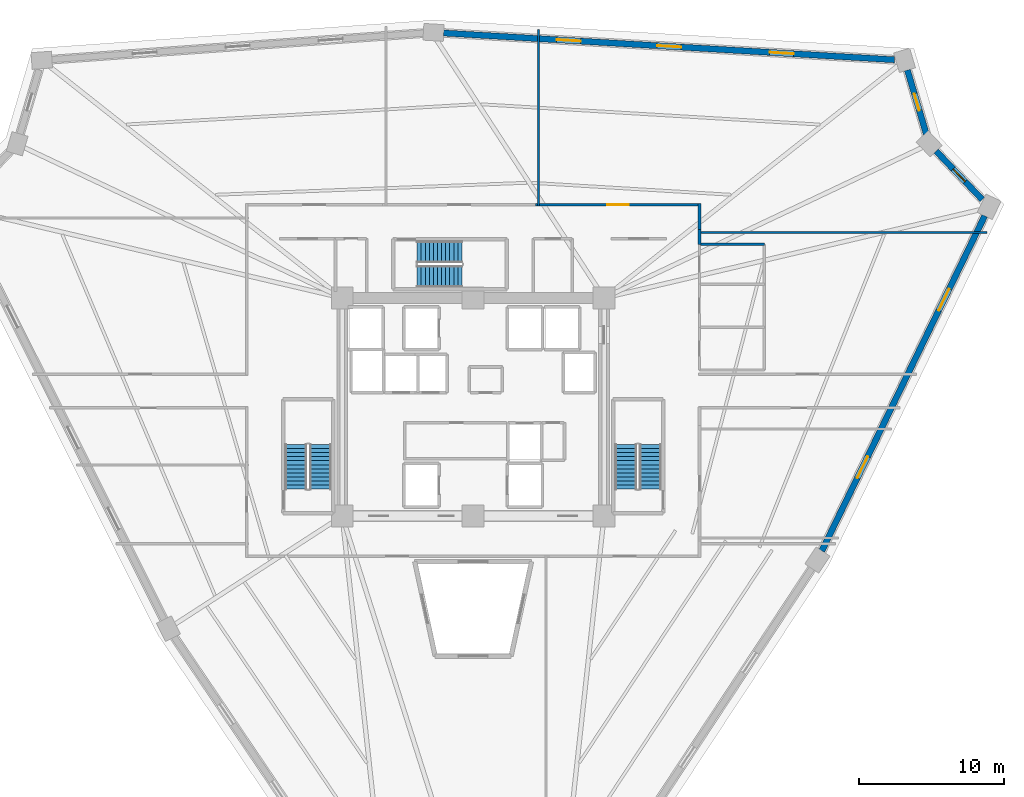
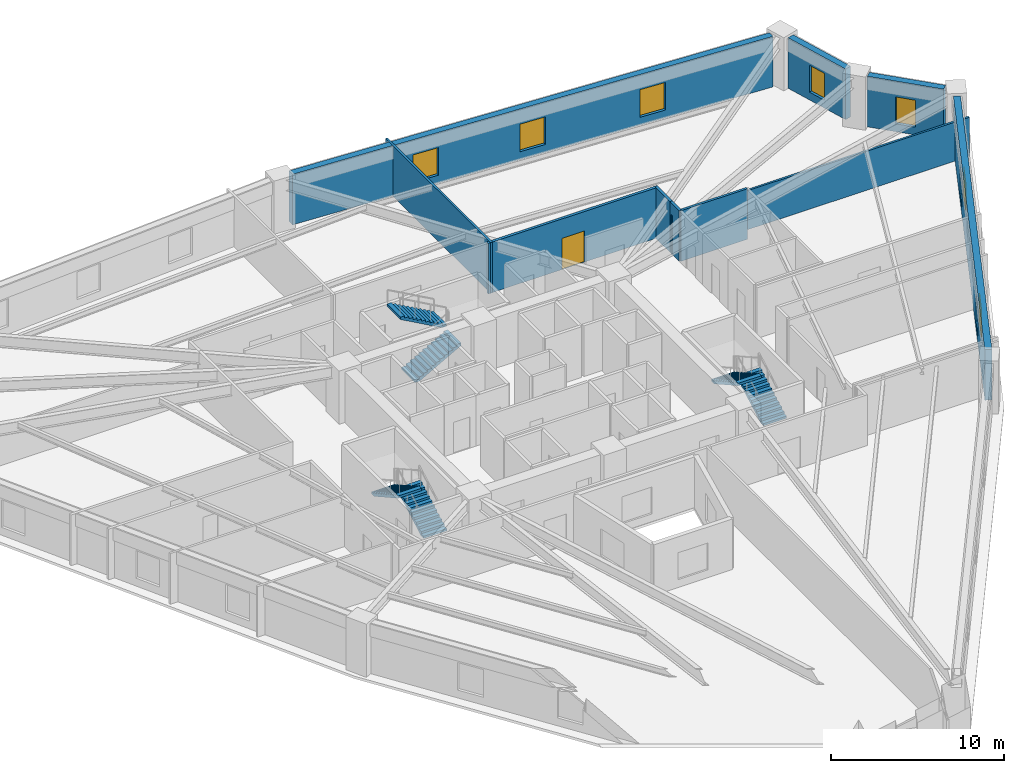
# One storey, part 7 of 8: 10 walls, 7 windows, 6 stair flights, 1 door, 8 openings, 3 elements without a shape of their own.
"""IFC4 building model written with IfcOpenShell, lengths in metres."""

from ifc_helpers import new_model, si_unit, direction, frame, frame_2d, origin, place, context, subcontext, project, spatial, polyline, rectangle, outline, extrude, source, transform, mapped, material, layer, layer_set, type_object, element, fill, aggregate, save


model = new_model("IFC4")

# Units and contexts
model_context = context("Model", 3, precision=1e-05, world=origin(), true_north=direction((0.0, 1.0)))
body_context = subcontext(model_context, "Body", "Model", "MODEL_VIEW")
ifc_project = project(units=[si_unit("LENGTHUNIT", "METRE"), si_unit("AREAUNIT", "SQUARE_METRE"), si_unit("VOLUMEUNIT", "CUBIC_METRE"), si_unit("PLANEANGLEUNIT", "RADIAN"), si_unit("MASSUNIT", "GRAM", prefix="KILO")], contexts=[model_context])

# Site, building, storey
site_placement = place(None, origin())
site = spatial("IfcSite", under=ifc_project, at=site_placement, CompositionType="ELEMENT")
building_placement = place(site_placement, origin())
building = spatial("IfcBuilding", under=site, at=building_placement, Name="Liaohun Quay Tower", CompositionType="ELEMENT")
storey_placement = place(building_placement, frame((0.0, 0.0, 151.5)))
storey = spatial("IfcBuildingStorey", under=building, at=storey_placement, Name="L39", CompositionType="ELEMENT", Elevation=151.5)

# Wall, openings, windows
ifc_material_1 = material(Name="Precast concrete C50 insulated sandwich", Category="concrete")
ifc_layer_1 = layer(ifc_material_1, 0.419921875, Name="Precast concrete C50 insulated sandwich", Category="concrete")
ifc_layer_set_1 = layer_set([ifc_layer_1], Name="Precast concrete C50 insulated sandwich")
wall_type_1 = type_object("IfcWallType", Name="WAL-EXT-Z12", PredefinedType="SOLIDWALL", material=ifc_layer_set_1)
wall_1_placement = place(storey_placement, frame((83.968017578125, 44.10205078125, 0.0), z_axis=(0.0, 0.0, 1.0), x_axis=(0.437237241279, 0.899346204105, 0.0)))
wall_1 = element("IfcWall", 1, at=wall_1_placement, inside=storey, type_object=wall_type_1, Name="L39 Brutalist Precast Pier Wall 03", PredefinedType="SOLIDWALL", context=body_context, shape_type="SweptSolid", body=[
    extrude(rectangle(XDim=25.61962890625, YDim=0.419921875, at=frame_2d((12.809814453125, 0.0))), origin(), (0.0, 0.0, 1.0), 3.570068359375),
])
shared_shape_1 = source(origin(), body_context, "Body", "SweptSolid", [
    extrude(rectangle(XDim=1.64990234375, YDim=1.949951171875, at=frame_2d((0.824951171875, 0.97509765625))), frame((0.0, 0.219970703125, 0.0), z_axis=(0.0, -1.0, 0.0), x_axis=(1.0, 0.0, 0.0)), (0.0, 0.0, 1.0), 0.43994140625),
])
opening_1_placement = place(wall_1_placement, frame((5.580078125, 0.0, 0.550048828125)))
opening_1 = element("IfcOpeningElement", 2, at=opening_1_placement, cuts=wall_1, Name="Opening W02", PredefinedType="OPENING", context=body_context, shape_type="MappedRepresentation", body=[
    mapped(shared_shape_1, transform((0.0, 0.0, 0.0), x_axis=(1.0, 0.0, 0.0), y_axis=(0.0, 1.0, 0.0), z_axis=(0.0, 0.0, 1.0), scale=1.0)),
])
opening_2_placement = place(wall_1_placement, frame((18.389892578125, 0.0, 0.550048828125)))
opening_2 = element("IfcOpeningElement", 3, at=opening_2_placement, cuts=wall_1, Name="Opening W02", PredefinedType="OPENING", context=body_context, shape_type="MappedRepresentation", body=[
    mapped(shared_shape_1, transform((0.0, 0.0, 0.0), x_axis=(1.0, 0.0, 0.0), y_axis=(0.0, 1.0, 0.0), z_axis=(0.0, 0.0, 1.0), scale=1.0)),
])
ifc_material_2 = material(Name="Triple Low-E argon glazing in thermally broken aluminium", Category="aluminium")
window_type_1 = type_object("IfcWindowType", Name="WIN-PUN-Z2", PartitioningType="DOUBLE_PANEL_VERTICAL", PredefinedType="WINDOW", material=ifc_material_2)
shared_shape_2 = source(origin(), body_context, "Body", "SweptSolid", [
    extrude(rectangle(XDim=1.64990234375, YDim=1.949951171875, at=frame_2d((0.824951171875, 0.97509765625))), frame((0.0, 0.030029296875, 0.0), z_axis=(0.0, -1.0, 0.0), x_axis=(1.0, 0.0, 0.0)), (0.0, 0.0, 1.0), 0.06005859375),
])
window_1_placement = place(opening_1_placement, origin())
window_1 = element("IfcWindow", 4, at=window_1_placement, inside=storey, type_object=window_type_1, Name="L39 Recessed Cold-Climate Punched Window 03-1", OverallHeight=1.949951171875, OverallWidth=1.64990234375, PartitioningType="DOUBLE_PANEL_VERTICAL", PredefinedType="WINDOW", context=body_context, shape_type="MappedRepresentation", body=[
    mapped(shared_shape_2, transform((0.0, 0.0, 0.0), x_axis=(1.0, 0.0, 0.0), y_axis=(0.0, 1.0, 0.0), z_axis=(0.0, 0.0, 1.0), scale=1.0)),
])
fill(opening_1, window_1)
window_2_placement = place(opening_2_placement, origin())
window_2 = element("IfcWindow", 5, at=window_2_placement, inside=storey, type_object=window_type_1, Name="L39 Recessed Cold-Climate Punched Window 03-3", OverallHeight=1.949951171875, OverallWidth=1.64990234375, PartitioningType="DOUBLE_PANEL_VERTICAL", PredefinedType="WINDOW", context=body_context, shape_type="MappedRepresentation", body=[
    mapped(shared_shape_2, transform((0.0, 0.0, 0.0), x_axis=(1.0, 0.0, 0.0), y_axis=(0.0, 1.0, 0.0), z_axis=(0.0, 0.0, 1.0), scale=1.0)),
])
fill(opening_2, window_2)

# Wall, opening, window
wall_2_placement = place(storey_placement, frame((94.99609375, 68.263916015625, 0.0), z_axis=(0.0, 0.0, 1.0), x_axis=(-0.689168939428, 0.724600698956, 0.0)))
wall_2 = element("IfcWall", 6, at=wall_2_placement, inside=storey, type_object=wall_type_1, Name="L39 Brutalist Precast Pier Wall 04", PredefinedType="SOLIDWALL", context=body_context, shape_type="SweptSolid", body=[
    extrude(rectangle(XDim=4.602783203125, YDim=0.419921875, at=frame_2d((2.30126953125, 0.0))), origin(), (0.0, 0.0, 1.0), 3.570068359375),
])
shared_shape_3 = source(origin(), body_context, "Body", "SweptSolid", [
    extrude(rectangle(XDim=1.199951171875, YDim=1.89990234375, at=frame_2d((0.60009765625, 0.949951171875))), frame((0.0, 0.219970703125, 0.0), z_axis=(0.0, -1.0, 0.0), x_axis=(1.0, 0.0, 0.0)), (0.0, 0.0, 1.0), 0.43994140625),
])
opening_3_placement = place(wall_2_placement, frame((1.700927734375, 0.0, 0.550048828125)))
opening_3 = element("IfcOpeningElement", 7, at=opening_3_placement, cuts=wall_2, Name="Opening W05", PredefinedType="OPENING", context=body_context, shape_type="MappedRepresentation", body=[
    mapped(shared_shape_3, transform((0.0, 0.0, 0.0), x_axis=(1.0, 0.0, 0.0), y_axis=(0.0, 1.0, 0.0), z_axis=(0.0, 0.0, 1.0), scale=1.0)),
])
ifc_material_3 = material(Name="Triple Low-E corner notch glazing", Category="glass")
window_type_2 = type_object("IfcWindowType", Name="WIN-NOTCH", PartitioningType="SINGLE_PANEL", PredefinedType="WINDOW", material=ifc_material_3)
shared_shape_4 = source(origin(), body_context, "Body", "SweptSolid", [
    extrude(rectangle(XDim=1.199951171875, YDim=1.89990234375, at=frame_2d((0.60009765625, 0.949951171875))), frame((0.0, 0.030029296875, 0.0), z_axis=(0.0, -1.0, 0.0), x_axis=(1.0, 0.0, 0.0)), (0.0, 0.0, 1.0), 0.06005859375),
])
window_3_placement = place(opening_3_placement, origin())
window_3 = element("IfcWindow", 8, at=window_3_placement, inside=storey, type_object=window_type_2, Name="L39 Corner Notch Window W05-04", OverallHeight=1.89990234375, OverallWidth=1.199951171875, PartitioningType="SINGLE_PANEL", PredefinedType="WINDOW", context=body_context, shape_type="MappedRepresentation", body=[
    mapped(shared_shape_4, transform((0.0, 0.0, 0.0), x_axis=(1.0, 0.0, 0.0), y_axis=(0.0, 1.0, 0.0), z_axis=(0.0, 0.0, 1.0), scale=1.0)),
])
fill(opening_3, window_3)

wall_3_placement = place(storey_placement, frame((91.153076171875, 72.760986328125, 0.0), z_axis=(0.0, 0.0, 1.0), x_axis=(-0.2829429476, 0.959136741244, 0.0)))
wall_3 = element("IfcWall", 9, at=wall_3_placement, inside=storey, type_object=wall_type_1, Name="L39 Brutalist Precast Pier Wall 05", PredefinedType="SOLIDWALL", context=body_context, shape_type="SweptSolid", body=[
    extrude(rectangle(XDim=4.5947265625, YDim=0.419921875, at=frame_2d((2.29736328125, 0.0))), origin(), (0.0, 0.0, 1.0), 3.570068359375),
])
opening_4_placement = place(wall_3_placement, frame((1.697021484375, 0.0, 0.550048828125)))
opening_4 = element("IfcOpeningElement", 10, at=opening_4_placement, cuts=wall_3, Name="Opening W05", PredefinedType="OPENING", context=body_context, shape_type="MappedRepresentation", body=[
    mapped(shared_shape_3, transform((0.0, 0.0, 0.0), x_axis=(1.0, 0.0, 0.0), y_axis=(0.0, 1.0, 0.0), z_axis=(0.0, 0.0, 1.0), scale=1.0)),
])
window_4_placement = place(opening_4_placement, origin())
window_4 = element("IfcWindow", 11, at=window_4_placement, inside=storey, type_object=window_type_2, Name="L39 Corner Notch Window W05-05", OverallHeight=1.89990234375, OverallWidth=1.199951171875, PartitioningType="SINGLE_PANEL", PredefinedType="WINDOW", context=body_context, shape_type="MappedRepresentation", body=[
    mapped(shared_shape_4, transform((0.0, 0.0, 0.0), x_axis=(1.0, 0.0, 0.0), y_axis=(0.0, 1.0, 0.0), z_axis=(0.0, 0.0, 1.0), scale=1.0)),
])
fill(opening_4, window_4)

# Wall, openings, windows
wall_4_placement = place(storey_placement, frame((88.968994140625, 77.87109375, 0.0), z_axis=(0.0, 0.0, 1.0), x_axis=(-0.998239939478, 0.059304495869, 0.0)))
wall_4 = element("IfcWall", 12, at=wall_4_placement, inside=storey, type_object=wall_type_1, Name="L39 Brutalist Precast Pier Wall 06", PredefinedType="SOLIDWALL", context=body_context, shape_type="SweptSolid", body=[
    extrude(rectangle(XDim=31.056640625, YDim=0.419921875, at=frame_2d((15.5283203125, 0.0))), origin(), (0.0, 0.0, 1.0), 3.570068359375),
])
opening_5_placement = place(wall_4_placement, frame((6.93896484375, 0.0, 0.550048828125)))
opening_5 = element("IfcOpeningElement", 13, at=opening_5_placement, cuts=wall_4, Name="Opening W02", PredefinedType="OPENING", context=body_context, shape_type="MappedRepresentation", body=[
    mapped(shared_shape_1, transform((0.0, 0.0, 0.0), x_axis=(1.0, 0.0, 0.0), y_axis=(0.0, 1.0, 0.0), z_axis=(0.0, 0.0, 1.0), scale=1.0)),
])
opening_6_placement = place(wall_4_placement, frame((14.702880859375, 0.0, 0.550048828125)))
opening_6 = element("IfcOpeningElement", 14, at=opening_6_placement, cuts=wall_4, Name="Opening W02", PredefinedType="OPENING", context=body_context, shape_type="MappedRepresentation", body=[
    mapped(shared_shape_1, transform((0.0, 0.0, 0.0), x_axis=(1.0, 0.0, 0.0), y_axis=(0.0, 1.0, 0.0), z_axis=(0.0, 0.0, 1.0), scale=1.0)),
])
opening_7_placement = place(wall_4_placement, frame((21.617919921875, 0.0, 0.550048828125)))
opening_7 = element("IfcOpeningElement", 15, at=opening_7_placement, cuts=wall_4, Name="Opening W02", PredefinedType="OPENING", context=body_context, shape_type="MappedRepresentation", body=[
    mapped(shared_shape_1, transform((0.0, 0.0, 0.0), x_axis=(1.0, 0.0, 0.0), y_axis=(0.0, 1.0, 0.0), z_axis=(0.0, 0.0, 1.0), scale=1.0)),
])
window_5_placement = place(opening_5_placement, origin())
window_5 = element("IfcWindow", 16, at=window_5_placement, inside=storey, type_object=window_type_1, Name="L39 Recessed Cold-Climate Punched Window 06-1", OverallHeight=1.949951171875, OverallWidth=1.64990234375, PartitioningType="DOUBLE_PANEL_VERTICAL", PredefinedType="WINDOW", context=body_context, shape_type="MappedRepresentation", body=[
    mapped(shared_shape_2, transform((0.0, 0.0, 0.0), x_axis=(1.0, 0.0, 0.0), y_axis=(0.0, 1.0, 0.0), z_axis=(0.0, 0.0, 1.0), scale=1.0)),
])
fill(opening_5, window_5)
window_6_placement = place(opening_6_placement, origin())
window_6 = element("IfcWindow", 17, at=window_6_placement, inside=storey, type_object=window_type_1, Name="L39 Recessed Cold-Climate Punched Window 06-2", OverallHeight=1.949951171875, OverallWidth=1.64990234375, PartitioningType="DOUBLE_PANEL_VERTICAL", PredefinedType="WINDOW", context=body_context, shape_type="MappedRepresentation", body=[
    mapped(shared_shape_2, transform((0.0, 0.0, 0.0), x_axis=(1.0, 0.0, 0.0), y_axis=(0.0, 1.0, 0.0), z_axis=(0.0, 0.0, 1.0), scale=1.0)),
])
fill(opening_6, window_6)
window_7_placement = place(opening_7_placement, origin())
window_7 = element("IfcWindow", 18, at=window_7_placement, inside=storey, type_object=window_type_1, Name="L39 Recessed Cold-Climate Punched Window 06-3", OverallHeight=1.949951171875, OverallWidth=1.64990234375, PartitioningType="DOUBLE_PANEL_VERTICAL", PredefinedType="WINDOW", context=body_context, shape_type="MappedRepresentation", body=[
    mapped(shared_shape_2, transform((0.0, 0.0, 0.0), x_axis=(1.0, 0.0, 0.0), y_axis=(0.0, 1.0, 0.0), z_axis=(0.0, 0.0, 1.0), scale=1.0)),
])
fill(opening_7, window_7)

# Wall, opening, door
ifc_material_4 = material(Name="Autoclaved aerated concrete blockwork", Category="masonry")
ifc_layer_2 = layer(ifc_material_4, 0.179931640625, Name="Autoclaved aerated concrete blockwork", Category="masonry")
ifc_layer_set_2 = layer_set([ifc_layer_2], Name="Autoclaved aerated concrete blockwork")
wall_type_2 = type_object("IfcWallType", Name="WAL-PRT-COR", PredefinedType="PARTITIONING", material=ifc_layer_set_2)
wall_5_placement = place(storey_placement, frame((64.284912109375, 67.909912109375, 0.0), z_axis=(0.0, 0.0, 1.0), x_axis=(1.0, 0.0, 0.0)))
wall_5 = element("IfcWall", 19, at=wall_5_placement, inside=storey, type_object=wall_type_2, Name="L39 Interior Partition Wall 012", PredefinedType="PARTITIONING", context=body_context, shape_type="SweptSolid", body=[
    extrude(rectangle(XDim=11.344970703125, YDim=0.179931640625, at=frame_2d((5.67236328125, 0.0))), origin(), (0.0, 0.0, 1.0), 3.570068359375),
])
shared_shape_5 = source(origin(), body_context, "Body", "SweptSolid", [
    extrude(rectangle(XDim=1.5, YDim=2.199951171875, at=frame_2d((0.75, 1.10009765625))), frame((0.0, 0.099853515625, 0.0), z_axis=(0.0, -1.0, 0.0), x_axis=(1.0, 0.0, 0.0)), (0.0, 0.0, 1.0), 0.199951171875),
])
opening_8_placement = place(wall_5_placement, frame((4.922119140625, 0.0, 0.0)))
opening_8 = element("IfcOpeningElement", 20, at=opening_8_placement, cuts=wall_5, Name="Opening OD2", PredefinedType="OPENING", context=body_context, shape_type="MappedRepresentation", body=[
    mapped(shared_shape_5, transform((0.0, 0.0, 0.0), x_axis=(1.0, 0.0, 0.0), y_axis=(0.0, 1.0, 0.0), z_axis=(0.0, 0.0, 1.0), scale=1.0)),
])
ifc_material_5 = material(Name="Acoustic oak veneer double door")
door_type = type_object("IfcDoorType", Name="DOR-OFF-1500", OperationType="DOUBLE_DOOR_SINGLE_SWING", PredefinedType="DOOR", material=ifc_material_5)
shared_shape_6 = source(origin(), body_context, "Body", "SweptSolid", [
    extrude(rectangle(XDim=1.5, YDim=2.199951171875, at=frame_2d((0.75, 1.10009765625))), frame((0.0, 0.02490234375, 0.0), z_axis=(0.0, -1.0, 0.0), x_axis=(1.0, 0.0, 0.0)), (0.0, 0.0, 1.0), 0.050048828125),
])
door_placement = place(opening_8_placement, origin())
door = element("IfcDoor", 21, at=door_placement, inside=storey, type_object=door_type, Name="L39 Occupational Wellness Clinic 02 Door", OperationType="DOUBLE_DOOR_SINGLE_SWING", OverallHeight=2.199951171875, OverallWidth=1.5, PredefinedType="DOOR", context=body_context, shape_type="MappedRepresentation", body=[
    mapped(shared_shape_6, transform((0.0, 0.0, 0.0), x_axis=(1.0, 0.0, 0.0), y_axis=(0.0, 1.0, 0.0), z_axis=(0.0, 0.0, 1.0), scale=1.0)),
])
fill(opening_8, door)

# Walls
wall_6_placement = place(storey_placement, frame((75.56005859375, 66.215087890625, 0.0), z_axis=(0.0, 0.0, 1.0), x_axis=(0.0, -1.0, 0.0)))
element("IfcWall", 22, at=wall_6_placement, inside=storey, type_object=wall_type_2, Name="L39 Interior Partition Wall 036", PredefinedType="PARTITIONING", context=body_context, shape_type="SweptSolid", body=[
    extrude(rectangle(XDim=1.03515625, YDim=0.179931640625, at=frame_2d((0.517578125, 0.0))), origin(), (0.0, 0.0, 1.0), 3.570068359375),
])
wall_7_placement = place(storey_placement, frame((75.56005859375, 67.97998046875, 0.0), z_axis=(0.0, 0.0, 1.0), x_axis=(0.0, -1.0, 0.0)))
element("IfcWall", 23, at=wall_7_placement, inside=storey, type_object=wall_type_2, Name="L39 Interior Partition Wall 037", PredefinedType="PARTITIONING", context=body_context, shape_type="SweptSolid", body=[
    extrude(rectangle(XDim=1.764892578125, YDim=0.179931640625, at=frame_2d((0.88232421875, 0.0))), origin(), (0.0, 0.0, 1.0), 3.570068359375),
])
ifc_material_6 = material(Name="Gypsum board on twin steel studs", Category="steel")
ifc_layer_3 = layer(ifc_material_6, 0.139892578125, Name="Gypsum board on twin steel studs", Category="steel")
ifc_layer_set_3 = layer_set([ifc_layer_3], Name="Gypsum board on twin steel studs")
wall_type_3 = type_object("IfcWallType", Name="WAL-PRT-OFF", PredefinedType="PARTITIONING", material=ifc_layer_set_3)
wall_8_placement = place(storey_placement, frame((75.4599609375, 66.0, 0.0), z_axis=(0.0, 0.0, 1.0), x_axis=(1.0, 0.0, 0.0)))
element("IfcWall", 24, at=wall_8_placement, inside=storey, type_object=wall_type_3, Name="L39 Interior Partition Wall 050", PredefinedType="PARTITIONING", context=body_context, shape_type="SweptSolid", body=[
    extrude(rectangle(XDim=19.85400390625, YDim=0.139892578125, at=frame_2d((9.927001953125, 0.0))), origin(), (0.0, 0.0, 1.0), 2.7548828125),
])
wall_9_placement = place(storey_placement, frame((64.5, 67.81005859375, 0.0), z_axis=(0.0, 0.0, 1.0), x_axis=(0.0, 1.0, 0.0)))
element("IfcWall", 25, at=wall_9_placement, inside=storey, type_object=wall_type_3, Name="L39 Interior Partition Wall 052", PredefinedType="PARTITIONING", context=body_context, shape_type="SweptSolid", body=[
    extrude(rectangle(XDim=12.14599609375, YDim=0.139892578125, at=frame_2d((6.072998046875, 0.0))), origin(), (0.0, 0.0, 1.0), 3.570068359375),
])
ifc_material_7 = material(Name="Moisture-resistant masonry blockwork", Category="masonry")
ifc_layer_4 = layer(ifc_material_7, 0.159912109375, Name="Moisture-resistant masonry blockwork", Category="masonry")
ifc_layer_set_4 = layer_set([ifc_layer_4], Name="Moisture-resistant masonry blockwork")
wall_type_4 = type_object("IfcWallType", Name="WAL-PRT-WET", PredefinedType="PARTITIONING", material=ifc_layer_set_4)
wall_10_placement = place(storey_placement, frame((75.56005859375, 65.179931640625, 0.0), z_axis=(0.0, 0.0, 1.0), x_axis=(1.0, 0.0, 0.0)))
element("IfcWall", 26, at=wall_10_placement, inside=storey, type_object=wall_type_4, Name="L39 Interior Partition Wall 031", PredefinedType="PARTITIONING", context=body_context, shape_type="SweptSolid", body=[
    extrude(rectangle(XDim=4.4599609375, YDim=0.159912109375, at=frame_2d((2.22998046875, 0.0))), origin(), (0.0, 0.0, 1.0), 3.570068359375),
])

# Stair, stair flights
ifc_material_8 = material(Name="Concrete C45", Category="concrete")
stair_type = type_object("IfcStairType", Name="STR-CORE-OFF", PredefinedType="HALF_TURN_STAIR", material=ifc_material_8)
stair_1_placement = place(storey_placement, origin())
stair_1 = element("IfcStair", 27, at=stair_1_placement, inside=storey, type_object=stair_type, Name="L39 Smokeproof Core Exit Stair ST-1", PredefinedType="HALF_TURN_STAIR")
stair_flight_type = type_object("IfcStairFlightType", Name="FLT-CORE-155", PredefinedType="STRAIGHT", material=ifc_material_8)
stair_flight_1_placement = place(storey_placement, frame((49.5048828125, 48.35009765625, 0.0), z_axis=(0.0, 0.0, 1.0), x_axis=(0.0, 1.0, 0.0)))
stair_flight_1 = element("IfcStairFlight", 28, at=stair_flight_1_placement, type_object=stair_flight_type, Name="ST-1 flight 1", NumberOfRisers=12, NumberOfTreads=11, PredefinedType="STRAIGHT", RiserHeight=0.15625, TreadLength=0.28, context=body_context, shape_type="SweptSolid", body=[
    extrude(outline(polyline([(0.0, 0.0), (0.0, 0.15625), (0.280029296875, 0.15625), (0.280029296875, 0.3125), (0.56005859375, 0.3125), (0.56005859375, 0.46875), (0.840087890625, 0.46875), (0.840087890625, 0.625), (1.1201171875, 0.625), (1.1201171875, 0.78125), (1.39990234375, 0.78125), (1.39990234375, 0.9375), (1.679931640625, 0.9375), (1.679931640625, 1.09375), (1.9599609375, 1.09375), (1.9599609375, 1.25), (2.239990234375, 1.25), (2.239990234375, 1.40625), (2.52001953125, 1.40625), (2.52001953125, 1.5625), (2.800048828125, 1.5625), (2.800048828125, 1.71875), (3.080078125, 1.71875), (3.080078125, 1.875), (3.080078125, 1.547119140625), (0.3076171875, 0.0), (0.0, 0.0)])), frame((0.0, 0.77490234375, 0.0), z_axis=(0.0, -1.0, 0.0), x_axis=(1.0, 0.0, 0.0)), (0.0, 0.0, 1.0), 1.550048828125),
])
stair_flight_2_placement = place(storey_placement, frame((47.81494140625, 51.429931640625, 1.875), z_axis=(0.0, 0.0, 1.0), x_axis=(0.0, -1.0, 0.0)))
stair_flight_2 = element("IfcStairFlight", 29, at=stair_flight_2_placement, type_object=stair_flight_type, Name="ST-1 flight 2", NumberOfRisers=12, NumberOfTreads=11, PredefinedType="STRAIGHT", RiserHeight=0.15625, TreadLength=0.28, context=body_context, shape_type="SweptSolid", body=[
    extrude(outline(polyline([(0.0, 0.0), (0.0, 0.15625), (0.280029296875, 0.15625), (0.280029296875, 0.3125), (0.56005859375, 0.3125), (0.56005859375, 0.46875), (0.840087890625, 0.46875), (0.840087890625, 0.625), (1.1201171875, 0.625), (1.1201171875, 0.78125), (1.39990234375, 0.78125), (1.39990234375, 0.9375), (1.679931640625, 0.9375), (1.679931640625, 1.09375), (1.9599609375, 1.09375), (1.9599609375, 1.25), (2.239990234375, 1.25), (2.239990234375, 1.40625), (2.52001953125, 1.40625), (2.52001953125, 1.5625), (2.800048828125, 1.5625), (2.800048828125, 1.71875), (3.080078125, 1.71875), (3.080078125, 1.875), (3.080078125, 1.547119140625), (0.3076171875, 0.0), (0.0, 0.0)])), frame((0.0, 0.77490234375, 0.0), z_axis=(0.0, -1.0, 0.0), x_axis=(1.0, 0.0, 0.0)), (0.0, 0.0, 1.0), 1.550048828125),
])
aggregate(stair_1, [stair_flight_1, stair_flight_2])

stair_2_placement = place(storey_placement, origin())
stair_2 = element("IfcStair", 30, at=stair_2_placement, inside=storey, type_object=stair_type, Name="L39 Smokeproof Core Exit Stair ST-2", PredefinedType="HALF_TURN_STAIR")
stair_flight_3_placement = place(storey_placement, frame((72.18505859375, 48.35009765625, 0.0), z_axis=(0.0, 0.0, 1.0), x_axis=(0.0, 1.0, 0.0)))
stair_flight_3 = element("IfcStairFlight", 31, at=stair_flight_3_placement, type_object=stair_flight_type, Name="ST-2 flight 1", NumberOfRisers=12, NumberOfTreads=11, PredefinedType="STRAIGHT", RiserHeight=0.15625, TreadLength=0.28, context=body_context, shape_type="SweptSolid", body=[
    extrude(outline(polyline([(0.0, 0.0), (0.0, 0.15625), (0.280029296875, 0.15625), (0.280029296875, 0.3125), (0.56005859375, 0.3125), (0.56005859375, 0.46875), (0.840087890625, 0.46875), (0.840087890625, 0.625), (1.1201171875, 0.625), (1.1201171875, 0.78125), (1.39990234375, 0.78125), (1.39990234375, 0.9375), (1.679931640625, 0.9375), (1.679931640625, 1.09375), (1.9599609375, 1.09375), (1.9599609375, 1.25), (2.239990234375, 1.25), (2.239990234375, 1.40625), (2.52001953125, 1.40625), (2.52001953125, 1.5625), (2.800048828125, 1.5625), (2.800048828125, 1.71875), (3.080078125, 1.71875), (3.080078125, 1.875), (3.080078125, 1.547119140625), (0.3076171875, 0.0), (0.0, 0.0)])), frame((0.0, 0.77490234375, 0.0), z_axis=(0.0, -1.0, 0.0), x_axis=(1.0, 0.0, 0.0)), (0.0, 0.0, 1.0), 1.550048828125),
])
stair_flight_4_placement = place(storey_placement, frame((70.4951171875, 51.429931640625, 1.875), z_axis=(0.0, 0.0, 1.0), x_axis=(0.0, -1.0, 0.0)))
stair_flight_4 = element("IfcStairFlight", 32, at=stair_flight_4_placement, type_object=stair_flight_type, Name="ST-2 flight 2", NumberOfRisers=12, NumberOfTreads=11, PredefinedType="STRAIGHT", RiserHeight=0.15625, TreadLength=0.28, context=body_context, shape_type="SweptSolid", body=[
    extrude(outline(polyline([(0.0, 0.0), (0.0, 0.15625), (0.280029296875, 0.15625), (0.280029296875, 0.3125), (0.56005859375, 0.3125), (0.56005859375, 0.46875), (0.840087890625, 0.46875), (0.840087890625, 0.625), (1.1201171875, 0.625), (1.1201171875, 0.78125), (1.39990234375, 0.78125), (1.39990234375, 0.9375), (1.679931640625, 0.9375), (1.679931640625, 1.09375), (1.9599609375, 1.09375), (1.9599609375, 1.25), (2.239990234375, 1.25), (2.239990234375, 1.40625), (2.52001953125, 1.40625), (2.52001953125, 1.5625), (2.800048828125, 1.5625), (2.800048828125, 1.71875), (3.080078125, 1.71875), (3.080078125, 1.875), (3.080078125, 1.547119140625), (0.3076171875, 0.0), (0.0, 0.0)])), frame((0.0, 0.77490234375, 0.0), z_axis=(0.0, -1.0, 0.0), x_axis=(1.0, 0.0, 0.0)), (0.0, 0.0, 1.0), 1.550048828125),
])
aggregate(stair_2, [stair_flight_3, stair_flight_4])

stair_3_placement = place(storey_placement, origin())
stair_3 = element("IfcStair", 33, at=stair_3_placement, inside=storey, type_object=stair_type, Name="L39 Smokeproof Core Exit Stair ST-3", PredefinedType="HALF_TURN_STAIR")
stair_flight_5_placement = place(storey_placement, frame((56.14990234375, 62.97509765625, 0.0), z_axis=(0.0, 0.0, 1.0), x_axis=(1.0, 0.0, 0.0)))
stair_flight_5 = element("IfcStairFlight", 34, at=stair_flight_5_placement, type_object=stair_flight_type, Name="ST-3 flight 1", NumberOfRisers=12, NumberOfTreads=11, PredefinedType="STRAIGHT", RiserHeight=0.15625, TreadLength=0.28, context=body_context, shape_type="SweptSolid", body=[
    extrude(outline(polyline([(0.0, 0.0), (0.0, 0.15625), (0.280029296875, 0.15625), (0.280029296875, 0.3125), (0.56005859375, 0.3125), (0.56005859375, 0.46875), (0.840087890625, 0.46875), (0.840087890625, 0.625), (1.1201171875, 0.625), (1.1201171875, 0.78125), (1.39990234375, 0.78125), (1.39990234375, 0.9375), (1.679931640625, 0.9375), (1.679931640625, 1.09375), (1.9599609375, 1.09375), (1.9599609375, 1.25), (2.239990234375, 1.25), (2.239990234375, 1.40625), (2.52001953125, 1.40625), (2.52001953125, 1.5625), (2.800048828125, 1.5625), (2.800048828125, 1.71875), (3.080078125, 1.71875), (3.080078125, 1.875), (3.080078125, 1.547119140625), (0.3076171875, 0.0), (0.0, 0.0)])), frame((0.0, 0.77490234375, 0.0), z_axis=(0.0, -1.0, 0.0), x_axis=(1.0, 0.0, 0.0)), (0.0, 0.0, 1.0), 1.550048828125),
])
stair_flight_6_placement = place(storey_placement, frame((59.22998046875, 64.6650390625, 1.875), z_axis=(0.0, 0.0, 1.0), x_axis=(-1.0, 0.0, 0.0)))
stair_flight_6 = element("IfcStairFlight", 35, at=stair_flight_6_placement, type_object=stair_flight_type, Name="ST-3 flight 2", NumberOfRisers=12, NumberOfTreads=11, PredefinedType="STRAIGHT", RiserHeight=0.15625, TreadLength=0.28, context=body_context, shape_type="SweptSolid", body=[
    extrude(outline(polyline([(0.0, 0.0), (0.0, 0.15625), (0.280029296875, 0.15625), (0.280029296875, 0.3125), (0.56005859375, 0.3125), (0.56005859375, 0.46875), (0.840087890625, 0.46875), (0.840087890625, 0.625), (1.1201171875, 0.625), (1.1201171875, 0.78125), (1.39990234375, 0.78125), (1.39990234375, 0.9375), (1.679931640625, 0.9375), (1.679931640625, 1.09375), (1.9599609375, 1.09375), (1.9599609375, 1.25), (2.239990234375, 1.25), (2.239990234375, 1.40625), (2.52001953125, 1.40625), (2.52001953125, 1.5625), (2.800048828125, 1.5625), (2.800048828125, 1.71875), (3.080078125, 1.71875), (3.080078125, 1.875), (3.080078125, 1.547119140625), (0.3076171875, 0.0), (0.0, 0.0)])), frame((0.0, 0.77490234375, 0.0), z_axis=(0.0, -1.0, 0.0), x_axis=(1.0, 0.0, 0.0)), (0.0, 0.0, 1.0), 1.550048828125),
])
aggregate(stair_3, [stair_flight_5, stair_flight_6])

save(model, "model.ifc")
